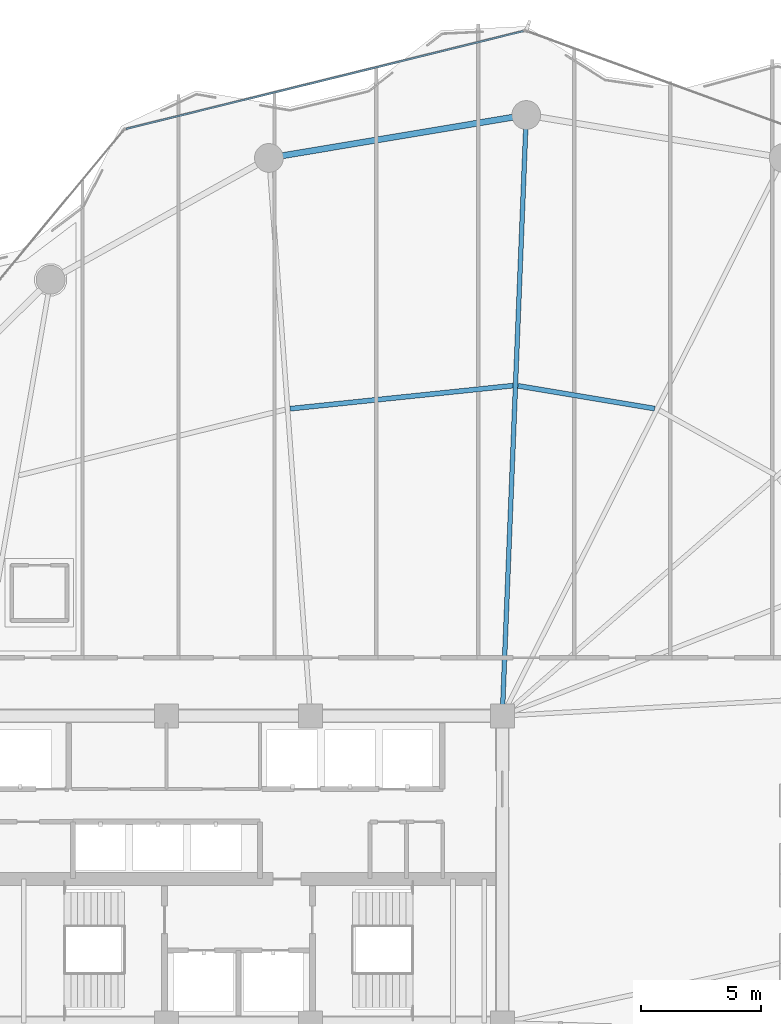
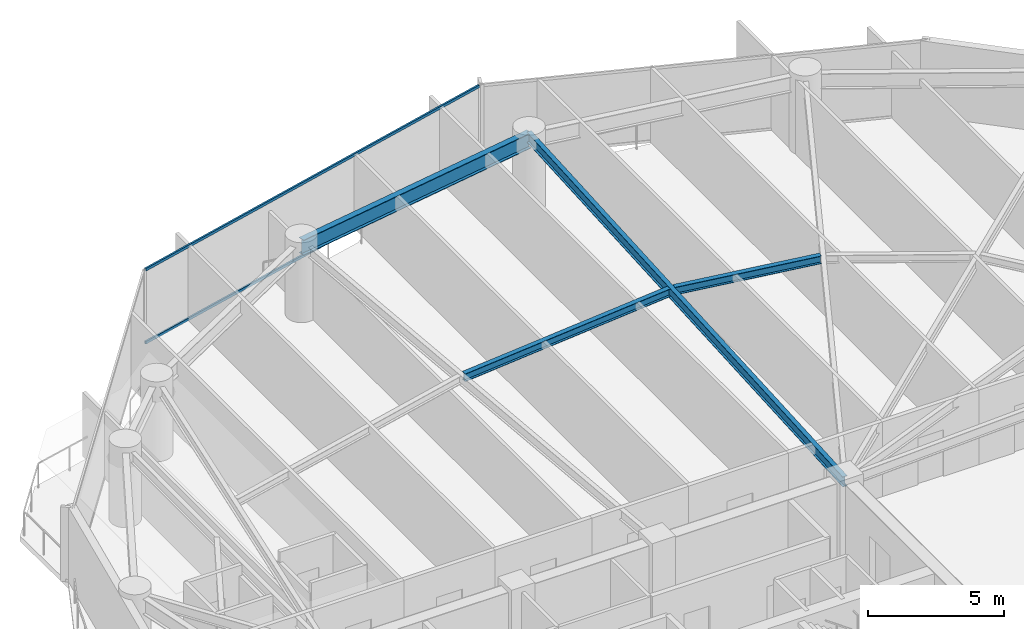
# One storey, part 18 of 28: 4 beams, 2 members, 1 element without a shape of its own.
"""IFC4 building model written with IfcOpenShell, lengths in metres."""

from ifc_helpers import new_model, si_unit, direction, frame, origin, origin_2d, place, context, subcontext, project, spatial, hollow_rectangle, i_section, extrude, material, layer, layer_set, material_profile, profile_set, type_object, element, aggregate, save


model = new_model("IFC4")

# Units and contexts
model_context = context("Model", 3, precision=1e-05, world=origin(), true_north=direction((0.0, 1.0)))
body_context = subcontext(model_context, "Body", "Model", "MODEL_VIEW")
ifc_project = project(units=[si_unit("LENGTHUNIT", "METRE"), si_unit("AREAUNIT", "SQUARE_METRE"), si_unit("VOLUMEUNIT", "CUBIC_METRE"), si_unit("PLANEANGLEUNIT", "RADIAN"), si_unit("MASSUNIT", "GRAM", prefix="KILO")], contexts=[model_context])

# Site, building, storey
site_placement = place(None, origin())
site = spatial("IfcSite", under=ifc_project, at=site_placement, CompositionType="ELEMENT")
building_placement = place(site_placement, origin())
building = spatial("IfcBuilding", under=site, at=building_placement, Name="Kazevale Care Tower and Concert Hall", CompositionType="ELEMENT")
storey_placement = place(building_placement, frame((0.0, 0.0, 142.199951171875)))
storey = spatial("IfcBuildingStorey", under=building, at=storey_placement, Name="L37", CompositionType="ELEMENT", Elevation=142.199951171875)

# Curtain wall, members
ifc_material_1 = material(Name="Aluminium 6063-T6 and Low-E Glass", Category="aluminium")
ifc_layer = layer(ifc_material_1, 0.179931640625)
ifc_layer_set = layer_set([ifc_layer], Name="Aluminium 6063-T6 and Low-E Glass")
curtain_wall_type = type_object("IfcCurtainWallType", Name="Convex Recessed Sunroom Curtain Wall CW-3", PredefinedType="NOTDEFINED", material=ifc_layer_set)
curtain_wall_placement = place(storey_placement, origin())
curtain_wall = element("IfcCurtainWall", 1, at=curtain_wall_placement, inside=storey, type_object=curtain_wall_type, Name="cw:L37:f15", PredefinedType="NOTDEFINED")
ifc_material_2 = material(Name="Aluminium 6063-T6", Category="aluminium")
ifc_material_profile_1 = material_profile(ifc_material_2, hollow_rectangle(XDim=0.074951171875, YDim=0.1201171875, WallThickness=0.00390625, at=origin_2d()), Name="ALU75x120x4")
ifc_profile_set_1 = profile_set([ifc_material_profile_1], Name="Aluminium 6063-T6")
member_type = type_object("IfcMemberType", Name="CW-3 Transom ALU75x120x4", PredefinedType="USERDEFINED", material=ifc_profile_set_1)
member_1_placement = place(storey_placement, frame((28.312744140625, 60.869873046875, 0.03759765625), z_axis=(0.970998321945, 0.239086299857, 0.0), x_axis=(-0.239086299857, 0.970998321945, 0.0)))
member_1 = element("IfcMember", 2, at=member_1_placement, type_object=member_type, Name="CW-3 transom 1.1", ObjectType="TRANSOM", PredefinedType="USERDEFINED", context=body_context, shape_type="SweptSolid", body=[
    extrude(hollow_rectangle(XDim=0.074951171875, YDim=0.1201171875, WallThickness=0.00390625, at=origin_2d()), origin(), (0.0, 0.0, 1.0), 17.061279296875),
])
member_2_placement = place(storey_placement, frame((28.312744140625, 60.869873046875, 3.322509765625), z_axis=(0.970998321945, 0.239086299857, 0.0), x_axis=(-0.239086299857, 0.970998321945, 0.0)))
member_2 = element("IfcMember", 3, at=member_2_placement, type_object=member_type, Name="CW-3 transom 1.2", ObjectType="TRANSOM", PredefinedType="USERDEFINED", context=body_context, shape_type="SweptSolid", body=[
    extrude(hollow_rectangle(XDim=0.074951171875, YDim=0.1201171875, WallThickness=0.00390625, at=origin_2d()), origin(), (0.0, 0.0, 1.0), 17.061279296875),
])
aggregate(curtain_wall, [member_1, member_2])

# Beams
ifc_material_3 = material(Name="Steel ASTM A572 Gr 50", Category="steel")
ifc_material_profile_2 = material_profile(ifc_material_3, i_section(OverallWidth=0.19091796875, OverallDepth=0.4599609375, WebThickness=0.010009765625, FlangeThickness=0.01611328125, at=origin_2d()), Name="W460x82")
ifc_profile_set_2 = profile_set([ifc_material_profile_2], Name="Steel ASTM A572 Gr 50")
beam_type_1 = type_object("IfcBeamType", Name="Radial Floor Beam W460x82", PredefinedType="BEAM", material=ifc_profile_set_2)
beam_1_placement = place(storey_placement, frame((44.0, 36.39990234375, 3.130126953125), z_axis=(0.039888311255, 0.99920414462, 0.0), x_axis=(-0.99920414462, 0.039888311255, 0.0)))
element("IfcBeam", 4, at=beam_1_placement, inside=storey, type_object=beam_type_1, Name="beam:L37:rad:05", PredefinedType="BEAM", context=body_context, shape_type="SweptSolid", body=[
    extrude(i_section(OverallWidth=0.19091796875, OverallDepth=0.4599609375, WebThickness=0.010009765625, FlangeThickness=0.01611328125, at=origin_2d()), origin(), (0.0, 0.0, 1.0), 25.070068359375),
])
ifc_material_profile_3 = material_profile(ifc_material_3, i_section(OverallWidth=0.205078125, OverallDepth=0.35400390625, WebThickness=0.009521484375, FlangeThickness=0.016845703125, at=origin_2d()), Name="W360x79")
ifc_profile_set_3 = profile_set([ifc_material_profile_3], Name="Steel ASTM A572 Gr 50")
beam_type_2 = type_object("IfcBeamType", Name="Secondary Floor Joist W360x79", PredefinedType="JOIST", material=ifc_profile_set_3)
beam_2_placement = place(storey_placement, frame((50.347900390625, 49.2099609375, 3.18310546875), z_axis=(-0.986366476547, 0.164563586324, 0.0), x_axis=(-0.164563586324, -0.986366476547, 0.0)))
element("IfcBeam", 5, at=beam_2_placement, inside=storey, type_object=beam_type_2, Name="beam:L37:joist:04", PredefinedType="JOIST", context=body_context, shape_type="SweptSolid", body=[
    extrude(i_section(OverallWidth=0.205078125, OverallDepth=0.35400390625, WebThickness=0.009521484375, FlangeThickness=0.016845703125, at=origin_2d()), origin(), (0.0, 0.0, 1.0), 5.7724609375),
])
beam_3_placement = place(storey_placement, frame((44.446044921875, 50.1669921875, 3.18310546875), z_axis=(-0.994674810104, -0.10306319491, 0.0), x_axis=(0.10306319491, -0.994674810104, 0.0)))
element("IfcBeam", 6, at=beam_3_placement, inside=storey, type_object=beam_type_2, Name="beam:L37:joist:05", PredefinedType="JOIST", context=body_context, shape_type="SweptSolid", body=[
    extrude(i_section(OverallWidth=0.205078125, OverallDepth=0.35400390625, WebThickness=0.009521484375, FlangeThickness=0.016845703125, at=origin_2d()), origin(), (0.0, 0.0, 1.0), 9.3427734375),
])
ifc_material_profile_4 = material_profile(ifc_material_3, i_section(OverallWidth=0.256103515625, OverallDepth=0.693115234375, WebThickness=0.014404296875, FlangeThickness=0.023681640625, at=origin_2d()), Name="W690x170")
ifc_profile_set_4 = profile_set([ifc_material_profile_4], Name="Steel ASTM A572 Gr 50")
beam_type_3 = type_object("IfcBeamType", Name="Waist Ring Beam W690x170", PredefinedType="BEAM", material=ifc_profile_set_4)
beam_4_placement = place(storey_placement, frame((45.0, 61.449951171875, 3.013427734375), z_axis=(-0.986368436187, -0.164551840139, 0.0), x_axis=(0.164551840139, -0.986368436187, 0.0)))
element("IfcBeam", 7, at=beam_4_placement, inside=storey, type_object=beam_type_3, Name="beam:L37:ring:05", PredefinedType="BEAM", context=body_context, shape_type="SweptSolid", body=[
    extrude(i_section(OverallWidth=0.256103515625, OverallDepth=0.693115234375, WebThickness=0.014404296875, FlangeThickness=0.023681640625, at=origin_2d()), origin(), (0.0, 0.0, 1.0), 10.878173828125),
])

save(model, "model.ifc")
